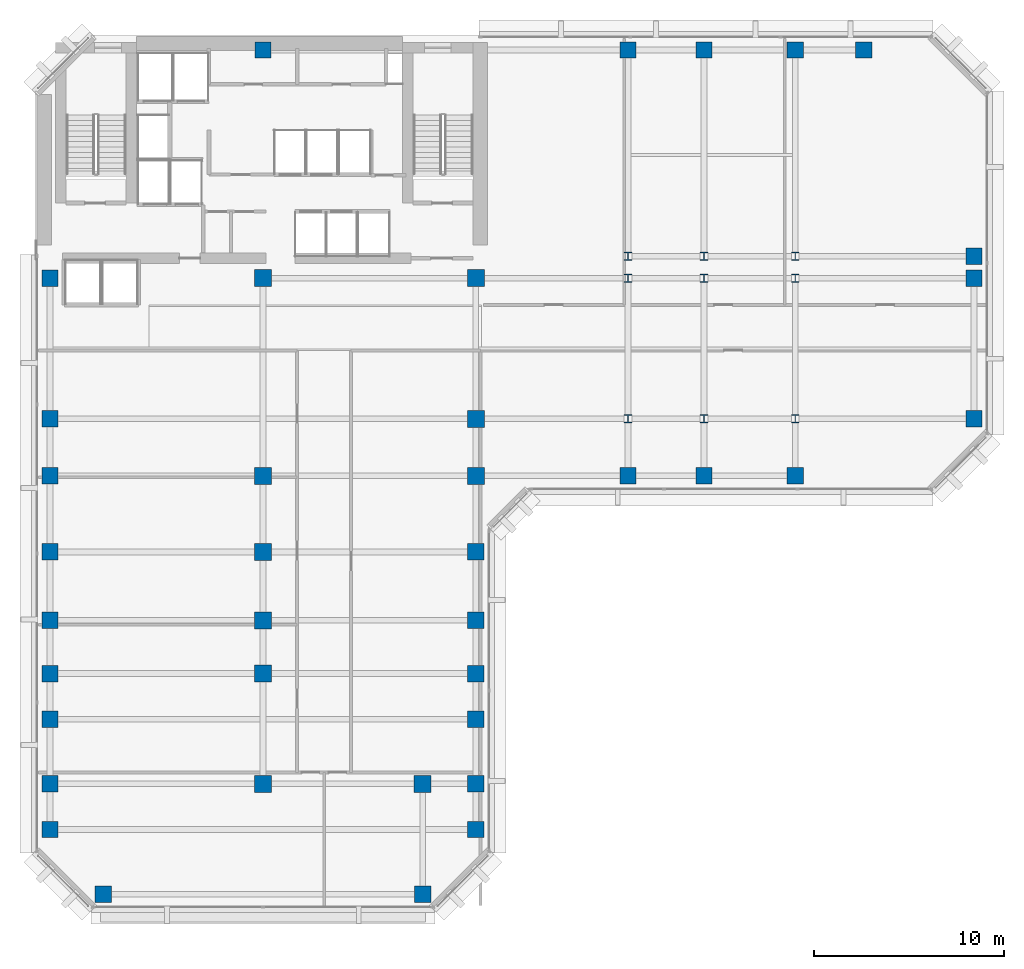
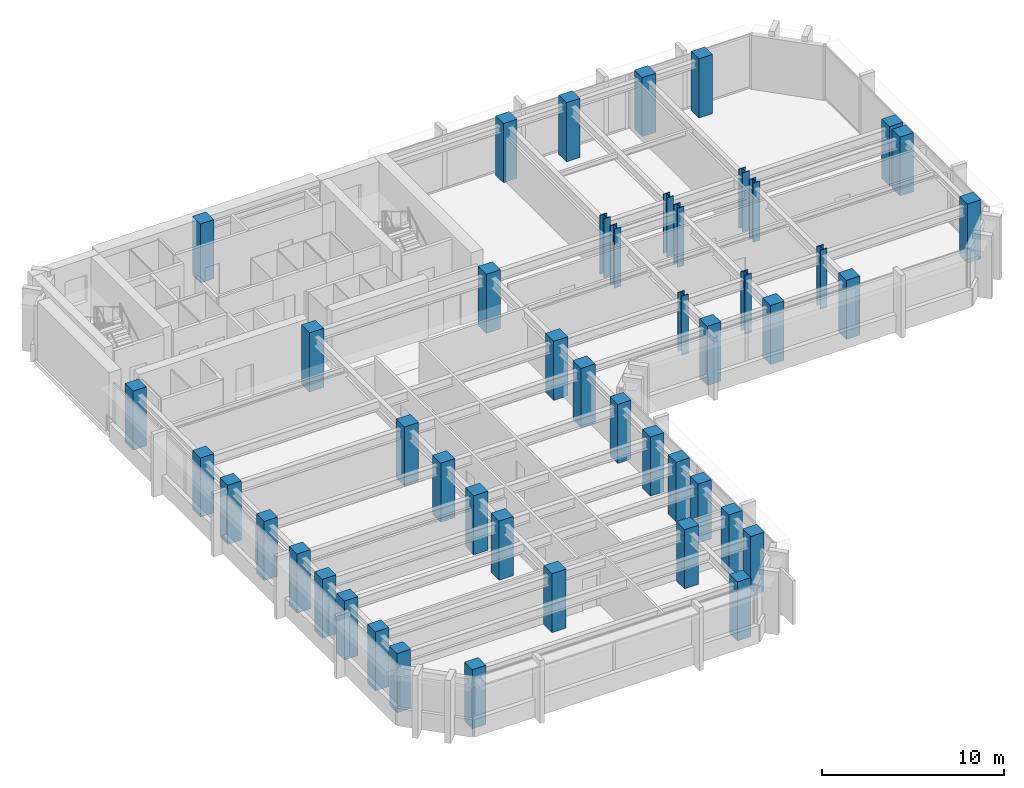
# One storey, part 1 of 11: 47 columns.
"""IFC4 building model written with IfcOpenShell, lengths in metres."""

from ifc_helpers import new_model, si_unit, direction, frame, origin, origin_2d, place, context, subcontext, project, spatial, rectangle, i_section, extrude, material, material_profile, profile_set, type_object, element, save


model = new_model("IFC4")

# Units and contexts
model_context = context("Model", 3, precision=1e-05, world=origin(), true_north=direction((0.0, 1.0)))
body_context = subcontext(model_context, "Body", "Model", "MODEL_VIEW")
ifc_project = project(units=[si_unit("LENGTHUNIT", "METRE"), si_unit("AREAUNIT", "SQUARE_METRE"), si_unit("VOLUMEUNIT", "CUBIC_METRE"), si_unit("PLANEANGLEUNIT", "RADIAN"), si_unit("MASSUNIT", "GRAM", prefix="KILO")], contexts=[model_context])

# Site, building, storey
site_placement = place(None, origin())
site = spatial("IfcSite", under=ifc_project, at=site_placement, CompositionType="ELEMENT")
building_placement = place(site_placement, origin())
building = spatial("IfcBuilding", under=site, at=building_placement, Name="Kefirva Bronze Tower", CompositionType="ELEMENT")
storey_placement = place(building_placement, frame((0.0, 0.0, 170.610107421875)))
storey = spatial("IfcBuildingStorey", under=building, at=storey_placement, Name="L41", CompositionType="ELEMENT", Elevation=170.610107421875)

# Columns
ifc_material_1 = material(Name="Concrete C60/75", Category="concrete")
ifc_material_profile_1 = material_profile(ifc_material_1, rectangle(XDim=0.860107421875, YDim=0.860107421875, at=origin_2d()), Name="RC 860x860")
ifc_profile_set_1 = profile_set([ifc_material_profile_1], Name="Concrete C60/75")
column_type_1 = type_object("IfcColumnType", Name="RC Column 860x860 Ext", PredefinedType="COLUMN", material=ifc_profile_set_1)
for number, where, z_axis, x_axis, name in (
    (1, (0.800048828125, 4.199951171875, 0.0), (0.0, 0.0, 1.0), (1.0, 0.0, 0.0), "L41 Column C008_042"),
    (2, (0.800048828125, 6.60009765625, 0.0), (0.0, 0.0, 1.0), (1.0, 0.0, 0.0), "L41 Column C008_066"),
    (3, (0.800048828125, 10.0, 0.0), (0.0, 0.0, 1.0), (1.0, 0.0, 0.0), "L41 Column C008_100"),
    (4, (0.800048828125, 12.39990234375, 0.0), (0.0, 0.0, 1.0), (1.0, 0.0, 0.0), "L41 Column C008_124"),
    (5, (0.800048828125, 15.199951171875, 0.0), (0.0, 0.0, 1.0), (1.0, 0.0, 0.0), "L41 Column C008_152"),
    (6, (0.800048828125, 18.800048828125, 0.0), (0.0, 0.0, 1.0), (1.0, 0.0, 0.0), "L41 Column C008_188"),
    (7, (0.800048828125, 22.800048828125, 0.0), (0.0, 0.0, 1.0), (1.0, 0.0, 0.0), "L41 Column C008_228"),
    (8, (0.800048828125, 25.800048828125, 0.0), (0.0, 0.0, 1.0), (1.0, 0.0, 0.0), "L41 Column C008_258"),
    (9, (0.800048828125, 33.199951171875, 0.0), (0.0, 0.0, 1.0), (1.0, 0.0, 0.0), "L41 Column C008_332"),
    (10, (3.60009765625, 0.800048828125, 0.0), (0.0, 0.0, 1.0), (1.0, 0.0, 0.0), "L41 Column C036_008"),
    (11, (12.0, 45.199951171875, 0.0), (0.0, 0.0, 1.0), (1.0, 0.0, 0.0), "L41 Column C120_452"),
    (12, (20.39990234375, 0.800048828125, 0.0), (0.0, 0.0, 1.0), (1.0, 0.0, 0.0), "L41 Column C204_008"),
    (13, (23.199951171875, 4.199951171875, 0.0), (0.0, 0.0, 1.0), (1.0, 0.0, 0.0), "L41 Column C232_042"),
    (14, (23.199951171875, 6.60009765625, 0.0), (0.0, 0.0, 1.0), (1.0, 0.0, 0.0), "L41 Column C232_066"),
    (15, (23.199951171875, 10.0, 0.0), (0.0, 0.0, 1.0), (1.0, 0.0, 0.0), "L41 Column C232_100"),
    (16, (23.199951171875, 12.39990234375, 0.0), (0.0, 0.0, 1.0), (1.0, 0.0, 0.0), "L41 Column C232_124"),
    (17, (23.199951171875, 15.199951171875, 0.0), (0.0, 0.0, 1.0), (1.0, 0.0, 0.0), "L41 Column C232_152"),
    (18, (23.199951171875, 18.800048828125, 0.0), (0.0, 0.0, 1.0), (1.0, 0.0, 0.0), "L41 Column C232_188"),
    (19, (31.199951171875, 22.800048828125, 0.0), (0.0, 0.0, 1.0), (1.0, 0.0, 0.0), "L41 Column C312_228"),
    (20, (31.199951171875, 45.199951171875, 0.0), (0.0, 0.0, 1.0), (1.0, 0.0, 0.0), "L41 Column C312_452"),
    (21, (35.199951171875, 22.800048828125, 0.0), (0.0, 0.0, 1.0), (1.0, 0.0, 0.0), "L41 Column C352_228"),
    (22, (35.199951171875, 45.199951171875, 0.0), (0.0, 0.0, 1.0), (1.0, 0.0, 0.0), "L41 Column C352_452"),
    (23, (40.0, 22.800048828125, 0.0), (0.0, 0.0, 1.0), (1.0, 0.0, 0.0), "L41 Column C400_228"),
    (24, (40.0, 45.199951171875, 0.0), (0.0, 0.0, 1.0), (1.0, 0.0, 0.0), "L41 Column C400_452"),
    (25, (43.60009765625, 45.199951171875, 0.0), (0.0, 0.0, 1.0), (1.0, 0.0, 0.0), "L41 Column C436_452"),
    (26, (49.39990234375, 25.800048828125, 0.0), (0.0, 0.0, 1.0), (1.0, 0.0, 0.0), "L41 Column C494_258"),
    (27, (49.39990234375, 33.199951171875, 0.0), (0.0, 0.0, 1.0), (1.0, 0.0, 0.0), "L41 Column C494_332"),
    (28, (49.39990234375, 34.35009765625, 0.0), (0.0, 0.0, 1.0), (1.0, 0.0, 0.0), "L41 Column C494_344"),
):
    element("IfcColumn", number, at=place(storey_placement, frame(where, z_axis=z_axis, x_axis=x_axis)), inside=storey, type_object=column_type_1, Name=name, PredefinedType="COLUMN", context=body_context, shape_type="SweptSolid", body=[
        extrude(rectangle(XDim=0.860107421875, YDim=0.860107421875, at=origin_2d()), origin(), (0.0, 0.0, 1.0), 3.9599609375),
    ])
ifc_material_profile_2 = material_profile(ifc_material_1, rectangle(XDim=0.89990234375, YDim=0.89990234375, at=origin_2d()), Name="RC 900x900")
ifc_profile_set_2 = profile_set([ifc_material_profile_2], Name="Concrete C60/75")
column_type_2 = type_object("IfcColumnType", Name="RC Column 900x900 Int", PredefinedType="COLUMN", material=ifc_profile_set_2)
for number, where, z_axis, x_axis, name in (
    (29, (12.0, 6.60009765625, 0.0), (0.0, 0.0, 1.0), (1.0, 0.0, 0.0), "L41 Column C120_066"),
    (30, (12.0, 12.39990234375, 0.0), (0.0, 0.0, 1.0), (1.0, 0.0, 0.0), "L41 Column C120_124"),
    (31, (12.0, 15.199951171875, 0.0), (0.0, 0.0, 1.0), (1.0, 0.0, 0.0), "L41 Column C120_152"),
    (32, (12.0, 18.800048828125, 0.0), (0.0, 0.0, 1.0), (1.0, 0.0, 0.0), "L41 Column C120_188"),
    (33, (12.0, 22.800048828125, 0.0), (0.0, 0.0, 1.0), (1.0, 0.0, 0.0), "L41 Column C120_228"),
    (34, (12.0, 33.199951171875, 0.0), (0.0, 0.0, 1.0), (1.0, 0.0, 0.0), "L41 Column C120_332"),
    (35, (20.39990234375, 6.60009765625, 0.0), (0.0, 0.0, 1.0), (1.0, 0.0, 0.0), "L41 Column C204_066"),
    (36, (23.199951171875, 22.800048828125, 0.0), (0.0, 0.0, 1.0), (1.0, 0.0, 0.0), "L41 Column C232_228"),
    (37, (23.199951171875, 25.800048828125, 0.0), (0.0, 0.0, 1.0), (1.0, 0.0, 0.0), "L41 Column C232_258"),
    (38, (23.199951171875, 33.199951171875, 0.0), (0.0, 0.0, 1.0), (1.0, 0.0, 0.0), "L41 Column C232_332"),
):
    element("IfcColumn", number, at=place(storey_placement, frame(where, z_axis=z_axis, x_axis=x_axis)), inside=storey, type_object=column_type_2, Name=name, PredefinedType="COLUMN", context=body_context, shape_type="SweptSolid", body=[
        extrude(rectangle(XDim=0.89990234375, YDim=0.89990234375, at=origin_2d()), origin(), (0.0, 0.0, 1.0), 3.9599609375),
    ])
ifc_material_2 = material(Name="Steel S460", Category="steel")
ifc_material_profile_3 = material_profile(ifc_material_2, i_section(OverallWidth=0.41796875, OverallDepth=0.455078125, WebThickness=0.031982421875, FlangeThickness=0.051025390625, at=origin_2d()), Name="HD 400x551")
ifc_profile_set_3 = profile_set([ifc_material_profile_3], Name="Steel S460")
column_type_3 = type_object("IfcColumnType", Name="Steel Column HD 400x551", PredefinedType="COLUMN", material=ifc_profile_set_3)
for number, where, z_axis, x_axis, name in (
    (39, (31.199951171875, 25.800048828125, 0.0), (0.0, 0.0, 1.0), (1.0, 0.0, 0.0), "L41 Column C312_258"),
    (40, (31.199951171875, 33.199951171875, 0.0), (0.0, 0.0, 1.0), (1.0, 0.0, 0.0), "L41 Column C312_332"),
    (41, (31.199951171875, 34.35009765625, 0.0), (0.0, 0.0, 1.0), (1.0, 0.0, 0.0), "L41 Column C312_344"),
    (42, (35.199951171875, 25.800048828125, 0.0), (0.0, 0.0, 1.0), (1.0, 0.0, 0.0), "L41 Column C352_258"),
    (43, (35.199951171875, 33.199951171875, 0.0), (0.0, 0.0, 1.0), (1.0, 0.0, 0.0), "L41 Column C352_332"),
    (44, (35.199951171875, 34.35009765625, 0.0), (0.0, 0.0, 1.0), (1.0, 0.0, 0.0), "L41 Column C352_344"),
    (45, (40.0, 25.800048828125, 0.0), (0.0, 0.0, 1.0), (1.0, 0.0, 0.0), "L41 Column C400_258"),
    (46, (40.0, 33.199951171875, 0.0), (0.0, 0.0, 1.0), (1.0, 0.0, 0.0), "L41 Column C400_332"),
    (47, (40.0, 34.35009765625, 0.0), (0.0, 0.0, 1.0), (1.0, 0.0, 0.0), "L41 Column C400_344"),
):
    element("IfcColumn", number, at=place(storey_placement, frame(where, z_axis=z_axis, x_axis=x_axis)), inside=storey, type_object=column_type_3, Name=name, PredefinedType="COLUMN", context=body_context, shape_type="SweptSolid", body=[
        extrude(i_section(OverallWidth=0.41796875, OverallDepth=0.455078125, WebThickness=0.031982421875, FlangeThickness=0.051025390625, at=origin_2d()), origin(), (0.0, 0.0, 1.0), 3.9599609375),
    ])

save(model, "model.ifc")
